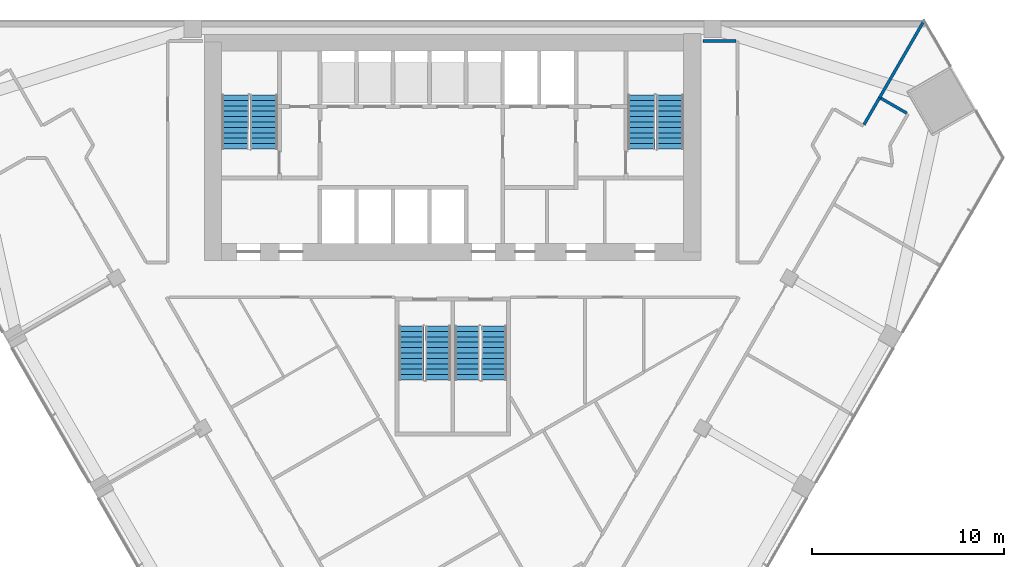
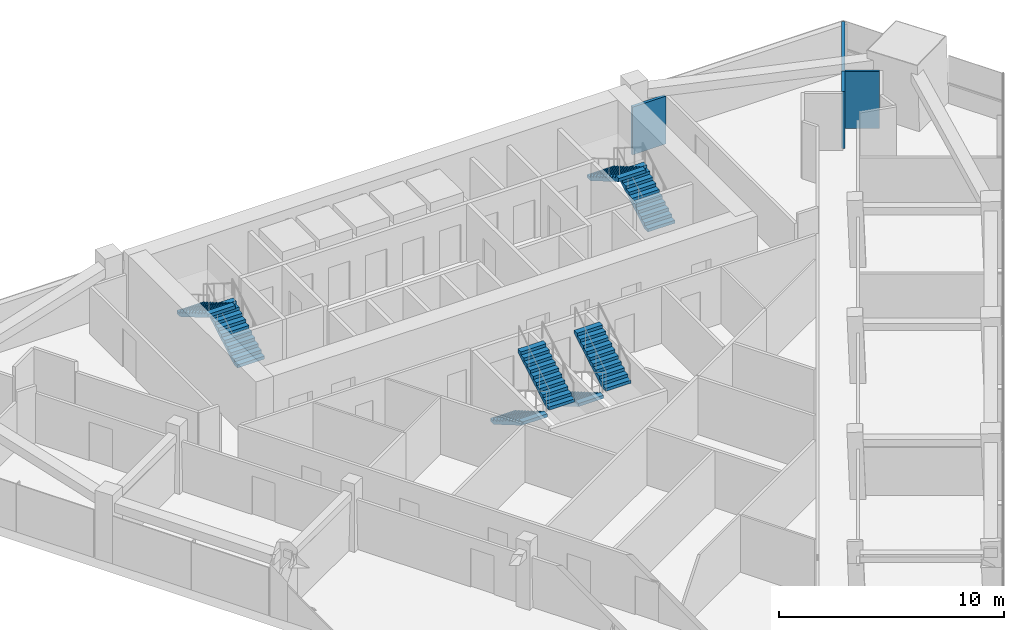
# One storey, part 12 of 14: 8 stair flights, 4 walls, 4 elements without a shape of their own.
"""IFC4 building model written with IfcOpenShell, lengths in metres."""

from ifc_helpers import new_model, si_unit, direction, frame, frame_2d, origin, place, context, subcontext, project, spatial, polyline, rectangle, outline, extrude, material, layer, layer_set, type_object, element, aggregate, save


model = new_model("IFC4")

# Units and contexts
model_context = context("Model", 3, precision=1e-05, world=origin(), true_north=direction((0.0, 1.0)))
body_context = subcontext(model_context, "Body", "Model", "MODEL_VIEW")
ifc_project = project(units=[si_unit("LENGTHUNIT", "METRE"), si_unit("AREAUNIT", "SQUARE_METRE"), si_unit("VOLUMEUNIT", "CUBIC_METRE"), si_unit("PLANEANGLEUNIT", "RADIAN"), si_unit("MASSUNIT", "GRAM", prefix="KILO")], contexts=[model_context])

# Site, building, storey
site_placement = place(None, origin())
site = spatial("IfcSite", under=ifc_project, at=site_placement, CompositionType="ELEMENT")
building_placement = place(site_placement, origin())
building = spatial("IfcBuilding", under=site, at=building_placement, Name="Altiplano Prism Tower", CompositionType="ELEMENT")
storey_placement = place(building_placement, frame((0.0, 0.0, 108.0)))
storey = spatial("IfcBuildingStorey", under=building, at=storey_placement, Name="L27", CompositionType="ELEMENT", Elevation=108.0)

# Walls
ifc_material_1 = material(Name="Plasterboard on steel stud", Category="steel")
ifc_layer_1 = layer(ifc_material_1, 0.14990234375)
ifc_layer_set_1 = layer_set([ifc_layer_1], Name="Plasterboard on steel stud")
wall_type_1 = type_object("IfcWallType", Name="Partition 150 corridor", PredefinedType="PARTITIONING", material=ifc_layer_set_1)
wall_1_placement = place(storey_placement, frame((108.587158203125, 100.15966796875, 0.0), z_axis=(0.0, 0.0, 1.0), x_axis=(-0.865975732936, 0.500086022567, 0.0)))
element("IfcWall", 1, at=wall_1_placement, inside=storey, type_object=wall_type_1, Name="Partition P06 L27 011", PredefinedType="PARTITIONING", context=body_context, shape_type="SweptSolid", body=[
    extrude(rectangle(XDim=1.550048828125, YDim=0.14990234375, at=frame_2d((0.77490234375, 0.0))), origin(), (0.0, 0.0, 1.0), 3.10009765625),
])
wall_2_placement = place(storey_placement, frame((107.169921875, 100.954833984375, 0.0), z_axis=(0.0, 0.0, 1.0), x_axis=(-0.500016533484, -0.866015857963, 0.0)))
element("IfcWall", 2, at=wall_2_placement, inside=storey, type_object=wall_type_1, Name="Partition P06 L27 012", PredefinedType="PARTITIONING", context=body_context, shape_type="SweptSolid", body=[
    extrude(rectangle(XDim=1.60498046875, YDim=0.14990234375, at=frame_2d((0.802490234375, 0.0))), origin(), (0.0, 0.0, 1.0), 3.10009765625),
])
wall_3_placement = place(storey_placement, frame((99.72509765625, 103.89990234375, 0.0), z_axis=(0.0, 0.0, 1.0), x_axis=(-1.0, 0.0, 0.0)))
element("IfcWall", 3, at=wall_3_placement, inside=storey, type_object=wall_type_1, Name="Partition P06 L27 019", PredefinedType="PARTITIONING", context=body_context, shape_type="SweptSolid", body=[
    extrude(rectangle(XDim=1.72509765625, YDim=0.14990234375, at=frame_2d((0.862548828125, 0.0))), origin(), (0.0, 0.0, 1.0), 2.60009765625),
])
ifc_layer_2 = layer(ifc_material_1, 0.14990234375)
ifc_layer_set_2 = layer_set([ifc_layer_2], Name="Plasterboard on steel stud")
wall_type_2 = type_object("IfcWallType", Name="Partition 150 party", PredefinedType="PARTITIONING", material=ifc_layer_set_2)
wall_4_placement = place(storey_placement, frame((109.447509765625, 104.89990234375, 0.0), z_axis=(0.0, 0.0, 1.0), x_axis=(-0.499983800959, -0.866034756103, 0.0)))
element("IfcWall", 4, at=wall_4_placement, inside=storey, type_object=wall_type_2, Name="Partition P01 L27 055", PredefinedType="PARTITIONING", context=body_context, shape_type="SweptSolid", body=[
    extrude(rectangle(XDim=4.555419921875, YDim=0.14990234375, at=frame_2d((2.27783203125, 0.0))), origin(), (0.0, 0.0, 1.0), 2.60009765625),
])

# Stair, stair flights
ifc_material_2 = material(Name="Concrete C40/50", Category="concrete")
stair_type_1 = type_object("IfcStairType", Name="Exit stair 1400", PredefinedType="HALF_TURN_STAIR", material=ifc_material_2)
stair_1_placement = place(storey_placement, origin())
stair_1 = element("IfcStair", 5, at=stair_1_placement, inside=storey, type_object=stair_type_1, Name="L27 Exit Stair 1", PredefinedType="HALF_TURN_STAIR")
stair_flight_type = type_object("IfcStairFlightType", Name="Stair flight concrete 150", PredefinedType="STRAIGHT", material=ifc_material_2)
stair_flight_1_placement = place(storey_placement, frame((75.199951171875, 98.300048828125, 0.0), z_axis=(0.0, 0.0, 1.0), x_axis=(0.0, 1.0, 0.0)))
stair_flight_1 = element("IfcStairFlight", 6, at=stair_flight_1_placement, type_object=stair_flight_type, Name="ST1 flight 1", NumberOfRisers=11, NumberOfTreads=10, PredefinedType="STRAIGHT", RiserHeight=0.163636364, TreadLength=0.28, context=body_context, shape_type="SweptSolid", body=[
    extrude(outline(polyline([(0.0, 0.0), (0.0, 0.16357421875), (0.280029296875, 0.16357421875), (0.280029296875, 0.327392578125), (0.56005859375, 0.327392578125), (0.56005859375, 0.490966796875), (0.840087890625, 0.490966796875), (0.840087890625, 0.654541015625), (1.1201171875, 0.654541015625), (1.1201171875, 0.818115234375), (1.39990234375, 0.818115234375), (1.39990234375, 0.98193359375), (1.679931640625, 0.98193359375), (1.679931640625, 1.1455078125), (1.9599609375, 1.1455078125), (1.9599609375, 1.30908203125), (2.239990234375, 1.30908203125), (2.239990234375, 1.47265625), (2.52001953125, 1.47265625), (2.52001953125, 1.636474609375), (2.800048828125, 1.636474609375), (2.800048828125, 1.800048828125), (2.800048828125, 1.462646484375), (0.297119140625, 0.0), (0.0, 0.0)])), frame((0.0, 0.699951171875, 0.0), z_axis=(0.0, -1.0, 0.0), x_axis=(1.0, 0.0, 0.0)), (0.0, 0.0, 1.0), 1.39990234375),
])
stair_flight_2_placement = place(storey_placement, frame((73.699951171875, 101.10009765625, 1.800048828125), z_axis=(0.0, 0.0, 1.0), x_axis=(0.0, -1.0, 0.0)))
stair_flight_2 = element("IfcStairFlight", 7, at=stair_flight_2_placement, type_object=stair_flight_type, Name="ST1 flight 2", NumberOfRisers=11, NumberOfTreads=10, PredefinedType="STRAIGHT", RiserHeight=0.163636364, TreadLength=0.28, context=body_context, shape_type="SweptSolid", body=[
    extrude(outline(polyline([(0.0, 0.0), (0.0, 0.16357421875), (0.280029296875, 0.16357421875), (0.280029296875, 0.327392578125), (0.56005859375, 0.327392578125), (0.56005859375, 0.490966796875), (0.840087890625, 0.490966796875), (0.840087890625, 0.654541015625), (1.1201171875, 0.654541015625), (1.1201171875, 0.818115234375), (1.39990234375, 0.818115234375), (1.39990234375, 0.98193359375), (1.679931640625, 0.98193359375), (1.679931640625, 1.1455078125), (1.9599609375, 1.1455078125), (1.9599609375, 1.30908203125), (2.239990234375, 1.30908203125), (2.239990234375, 1.47265625), (2.52001953125, 1.47265625), (2.52001953125, 1.636474609375), (2.800048828125, 1.636474609375), (2.800048828125, 1.800048828125), (2.800048828125, 1.462646484375), (0.297119140625, 0.0), (0.0, 0.0)])), frame((0.0, 0.699951171875, 0.0), z_axis=(0.0, -1.0, 0.0), x_axis=(1.0, 0.0, 0.0)), (0.0, 0.0, 1.0), 1.39990234375),
])
aggregate(stair_1, [stair_flight_1, stair_flight_2])

stair_2_placement = place(storey_placement, origin())
stair_2 = element("IfcStair", 8, at=stair_2_placement, inside=storey, type_object=stair_type_1, Name="L27 Exit Stair 2", PredefinedType="HALF_TURN_STAIR")
stair_flight_3_placement = place(storey_placement, frame((96.300048828125, 98.300048828125, 0.0), z_axis=(0.0, 0.0, 1.0), x_axis=(0.0, 1.0, 0.0)))
stair_flight_3 = element("IfcStairFlight", 9, at=stair_flight_3_placement, type_object=stair_flight_type, Name="ST2 flight 1", NumberOfRisers=11, NumberOfTreads=10, PredefinedType="STRAIGHT", RiserHeight=0.163636364, TreadLength=0.28, context=body_context, shape_type="SweptSolid", body=[
    extrude(outline(polyline([(0.0, 0.0), (0.0, 0.16357421875), (0.280029296875, 0.16357421875), (0.280029296875, 0.327392578125), (0.56005859375, 0.327392578125), (0.56005859375, 0.490966796875), (0.840087890625, 0.490966796875), (0.840087890625, 0.654541015625), (1.1201171875, 0.654541015625), (1.1201171875, 0.818115234375), (1.39990234375, 0.818115234375), (1.39990234375, 0.98193359375), (1.679931640625, 0.98193359375), (1.679931640625, 1.1455078125), (1.9599609375, 1.1455078125), (1.9599609375, 1.30908203125), (2.239990234375, 1.30908203125), (2.239990234375, 1.47265625), (2.52001953125, 1.47265625), (2.52001953125, 1.636474609375), (2.800048828125, 1.636474609375), (2.800048828125, 1.800048828125), (2.800048828125, 1.462646484375), (0.297119140625, 0.0), (0.0, 0.0)])), frame((0.0, 0.699951171875, 0.0), z_axis=(0.0, -1.0, 0.0), x_axis=(1.0, 0.0, 0.0)), (0.0, 0.0, 1.0), 1.39990234375),
])
stair_flight_4_placement = place(storey_placement, frame((94.800048828125, 101.10009765625, 1.800048828125), z_axis=(0.0, 0.0, 1.0), x_axis=(0.0, -1.0, 0.0)))
stair_flight_4 = element("IfcStairFlight", 10, at=stair_flight_4_placement, type_object=stair_flight_type, Name="ST2 flight 2", NumberOfRisers=11, NumberOfTreads=10, PredefinedType="STRAIGHT", RiserHeight=0.163636364, TreadLength=0.28, context=body_context, shape_type="SweptSolid", body=[
    extrude(outline(polyline([(0.0, 0.0), (0.0, 0.16357421875), (0.280029296875, 0.16357421875), (0.280029296875, 0.327392578125), (0.56005859375, 0.327392578125), (0.56005859375, 0.490966796875), (0.840087890625, 0.490966796875), (0.840087890625, 0.654541015625), (1.1201171875, 0.654541015625), (1.1201171875, 0.818115234375), (1.39990234375, 0.818115234375), (1.39990234375, 0.98193359375), (1.679931640625, 0.98193359375), (1.679931640625, 1.1455078125), (1.9599609375, 1.1455078125), (1.9599609375, 1.30908203125), (2.239990234375, 1.30908203125), (2.239990234375, 1.47265625), (2.52001953125, 1.47265625), (2.52001953125, 1.636474609375), (2.800048828125, 1.636474609375), (2.800048828125, 1.800048828125), (2.800048828125, 1.462646484375), (0.297119140625, 0.0), (0.0, 0.0)])), frame((0.0, 0.699951171875, 0.0), z_axis=(0.0, -1.0, 0.0), x_axis=(1.0, 0.0, 0.0)), (0.0, 0.0, 1.0), 1.39990234375),
])
aggregate(stair_2, [stair_flight_3, stair_flight_4])

stair_type_2 = type_object("IfcStairType", Name="Exit stair 1300", PredefinedType="HALF_TURN_STAIR", material=ifc_material_2)
stair_3_placement = place(storey_placement, origin())
stair_3 = element("IfcStair", 11, at=stair_3_placement, inside=storey, type_object=stair_type_2, Name="L27 Exit Stair 3A", PredefinedType="HALF_TURN_STAIR")
stair_flight_5_placement = place(storey_placement, frame((82.85009765625, 89.10009765625, 0.0), z_axis=(0.0, 0.0, 1.0), x_axis=(0.0, -1.0, 0.0)))
stair_flight_5 = element("IfcStairFlight", 12, at=stair_flight_5_placement, type_object=stair_flight_type, Name="ST3A flight 1", NumberOfRisers=11, NumberOfTreads=10, PredefinedType="STRAIGHT", RiserHeight=0.163636364, TreadLength=0.28, context=body_context, shape_type="SweptSolid", body=[
    extrude(outline(polyline([(0.0, 0.0), (0.0, 0.16357421875), (0.280029296875, 0.16357421875), (0.280029296875, 0.327392578125), (0.56005859375, 0.327392578125), (0.56005859375, 0.490966796875), (0.840087890625, 0.490966796875), (0.840087890625, 0.654541015625), (1.1201171875, 0.654541015625), (1.1201171875, 0.818115234375), (1.39990234375, 0.818115234375), (1.39990234375, 0.98193359375), (1.679931640625, 0.98193359375), (1.679931640625, 1.1455078125), (1.9599609375, 1.1455078125), (1.9599609375, 1.30908203125), (2.239990234375, 1.30908203125), (2.239990234375, 1.47265625), (2.52001953125, 1.47265625), (2.52001953125, 1.636474609375), (2.800048828125, 1.636474609375), (2.800048828125, 1.800048828125), (2.800048828125, 1.462646484375), (0.297119140625, 0.0), (0.0, 0.0)])), frame((0.0, 0.64990234375, 0.0), z_axis=(0.0, -1.0, 0.0), x_axis=(1.0, 0.0, 0.0)), (0.0, 0.0, 1.0), 1.300048828125),
])
stair_flight_6_placement = place(storey_placement, frame((84.25, 86.300048828125, 1.800048828125), z_axis=(0.0, 0.0, 1.0), x_axis=(0.0, 1.0, 0.0)))
stair_flight_6 = element("IfcStairFlight", 13, at=stair_flight_6_placement, type_object=stair_flight_type, Name="ST3A flight 2", NumberOfRisers=11, NumberOfTreads=10, PredefinedType="STRAIGHT", RiserHeight=0.163636364, TreadLength=0.28, context=body_context, shape_type="SweptSolid", body=[
    extrude(outline(polyline([(0.0, 0.0), (0.0, 0.16357421875), (0.280029296875, 0.16357421875), (0.280029296875, 0.327392578125), (0.56005859375, 0.327392578125), (0.56005859375, 0.490966796875), (0.840087890625, 0.490966796875), (0.840087890625, 0.654541015625), (1.1201171875, 0.654541015625), (1.1201171875, 0.818115234375), (1.39990234375, 0.818115234375), (1.39990234375, 0.98193359375), (1.679931640625, 0.98193359375), (1.679931640625, 1.1455078125), (1.9599609375, 1.1455078125), (1.9599609375, 1.30908203125), (2.239990234375, 1.30908203125), (2.239990234375, 1.47265625), (2.52001953125, 1.47265625), (2.52001953125, 1.636474609375), (2.800048828125, 1.636474609375), (2.800048828125, 1.800048828125), (2.800048828125, 1.462646484375), (0.297119140625, 0.0), (0.0, 0.0)])), frame((0.0, 0.64990234375, 0.0), z_axis=(0.0, -1.0, 0.0), x_axis=(1.0, 0.0, 0.0)), (0.0, 0.0, 1.0), 1.300048828125),
])
aggregate(stair_3, [stair_flight_5, stair_flight_6])

stair_4_placement = place(storey_placement, origin())
stair_4 = element("IfcStair", 14, at=stair_4_placement, inside=storey, type_object=stair_type_2, Name="L27 Exit Stair 3B", PredefinedType="HALF_TURN_STAIR")
stair_flight_7_placement = place(storey_placement, frame((85.75, 89.10009765625, 0.0), z_axis=(0.0, 0.0, 1.0), x_axis=(0.0, -1.0, 0.0)))
stair_flight_7 = element("IfcStairFlight", 15, at=stair_flight_7_placement, type_object=stair_flight_type, Name="ST3B flight 1", NumberOfRisers=11, NumberOfTreads=10, PredefinedType="STRAIGHT", RiserHeight=0.163636364, TreadLength=0.28, context=body_context, shape_type="SweptSolid", body=[
    extrude(outline(polyline([(0.0, 0.0), (0.0, 0.16357421875), (0.280029296875, 0.16357421875), (0.280029296875, 0.327392578125), (0.56005859375, 0.327392578125), (0.56005859375, 0.490966796875), (0.840087890625, 0.490966796875), (0.840087890625, 0.654541015625), (1.1201171875, 0.654541015625), (1.1201171875, 0.818115234375), (1.39990234375, 0.818115234375), (1.39990234375, 0.98193359375), (1.679931640625, 0.98193359375), (1.679931640625, 1.1455078125), (1.9599609375, 1.1455078125), (1.9599609375, 1.30908203125), (2.239990234375, 1.30908203125), (2.239990234375, 1.47265625), (2.52001953125, 1.47265625), (2.52001953125, 1.636474609375), (2.800048828125, 1.636474609375), (2.800048828125, 1.800048828125), (2.800048828125, 1.462646484375), (0.297119140625, 0.0), (0.0, 0.0)])), frame((0.0, 0.64990234375, 0.0), z_axis=(0.0, -1.0, 0.0), x_axis=(1.0, 0.0, 0.0)), (0.0, 0.0, 1.0), 1.300048828125),
])
stair_flight_8_placement = place(storey_placement, frame((87.14990234375, 86.300048828125, 1.800048828125), z_axis=(0.0, 0.0, 1.0), x_axis=(0.0, 1.0, 0.0)))
stair_flight_8 = element("IfcStairFlight", 16, at=stair_flight_8_placement, type_object=stair_flight_type, Name="ST3B flight 2", NumberOfRisers=11, NumberOfTreads=10, PredefinedType="STRAIGHT", RiserHeight=0.163636364, TreadLength=0.28, context=body_context, shape_type="SweptSolid", body=[
    extrude(outline(polyline([(0.0, 0.0), (0.0, 0.16357421875), (0.280029296875, 0.16357421875), (0.280029296875, 0.327392578125), (0.56005859375, 0.327392578125), (0.56005859375, 0.490966796875), (0.840087890625, 0.490966796875), (0.840087890625, 0.654541015625), (1.1201171875, 0.654541015625), (1.1201171875, 0.818115234375), (1.39990234375, 0.818115234375), (1.39990234375, 0.98193359375), (1.679931640625, 0.98193359375), (1.679931640625, 1.1455078125), (1.9599609375, 1.1455078125), (1.9599609375, 1.30908203125), (2.239990234375, 1.30908203125), (2.239990234375, 1.47265625), (2.52001953125, 1.47265625), (2.52001953125, 1.636474609375), (2.800048828125, 1.636474609375), (2.800048828125, 1.800048828125), (2.800048828125, 1.462646484375), (0.297119140625, 0.0), (0.0, 0.0)])), frame((0.0, 0.64990234375, 0.0), z_axis=(0.0, -1.0, 0.0), x_axis=(1.0, 0.0, 0.0)), (0.0, 0.0, 1.0), 1.300048828125),
])
aggregate(stair_4, [stair_flight_7, stair_flight_8])

save(model, "model.ifc")
